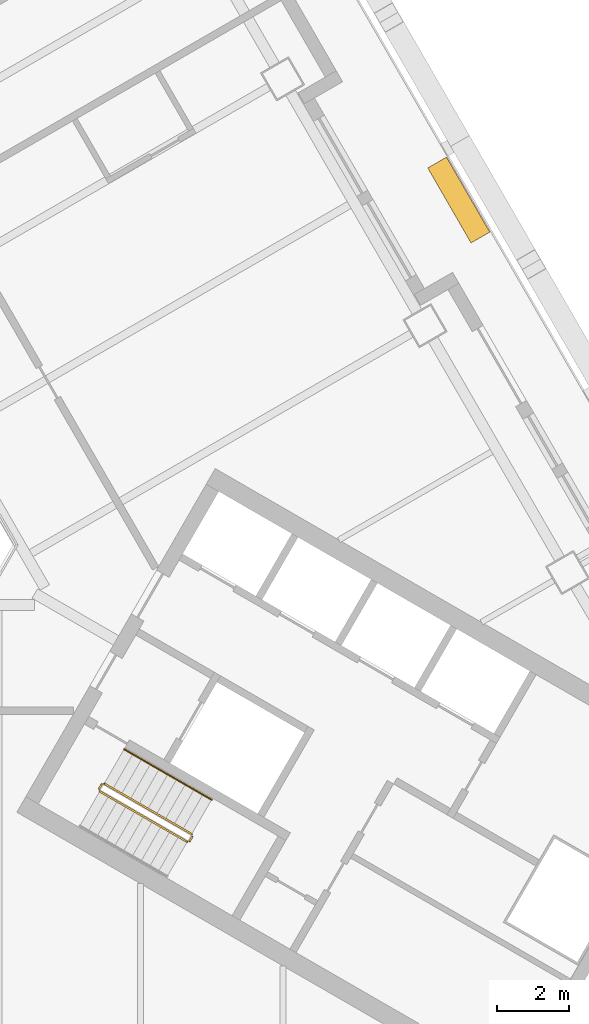
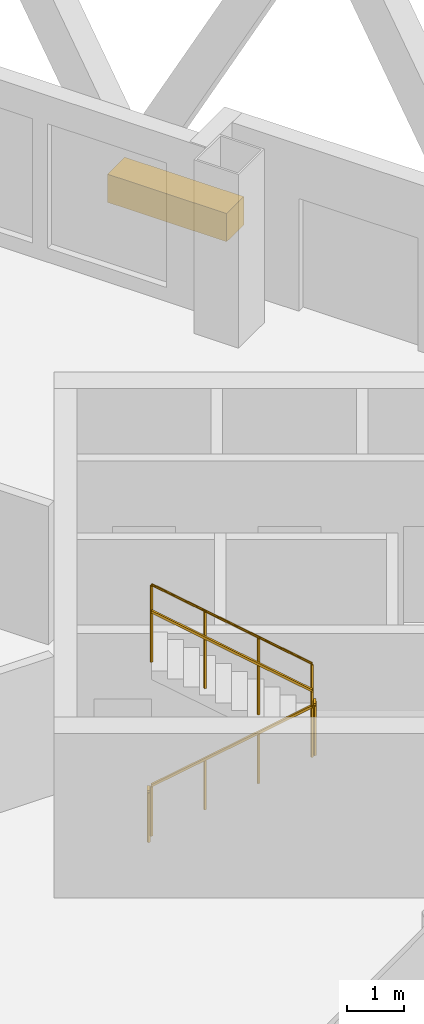
# One storey, part 12 of 14: 5 railings, 1 covering.
"""IFC4 building model written with IfcOpenShell, lengths in metres."""

from ifc_helpers import new_model, si_unit, direction, frame, origin, origin_2d, place, context, subcontext, project, spatial, rectangle, circle, extrude, material, type_object, element, save


model = new_model("IFC4")

# Units and contexts
model_context = context("Model", 3, precision=1e-05, world=origin(), true_north=direction((0.0, 1.0)))
body_context = subcontext(model_context, "Body", "Model", "MODEL_VIEW")
ifc_project = project(units=[si_unit("LENGTHUNIT", "METRE"), si_unit("AREAUNIT", "SQUARE_METRE"), si_unit("VOLUMEUNIT", "CUBIC_METRE"), si_unit("PLANEANGLEUNIT", "RADIAN"), si_unit("MASSUNIT", "GRAM", prefix="KILO")], contexts=[model_context])

# Site, building, storey
site_placement = place(None, origin())
site = spatial("IfcSite", under=ifc_project, at=site_placement, CompositionType="ELEMENT")
building_placement = place(site_placement, origin())
building = spatial("IfcBuilding", under=site, at=building_placement, Name="Apuvela Tower Hotel", CompositionType="ELEMENT")
storey_placement = place(building_placement, frame((0.0, 0.0, 98.300048828125)))
storey = spatial("IfcBuildingStorey", under=building, at=storey_placement, Name="L22", CompositionType="ELEMENT", Elevation=98.300048828125)

# Railings
ifc_material_1 = material(Name="Steel S275 balustrade", Category="steel")
railing_type_1 = type_object("IfcRailingType", Name="COR-GUARD-1100", PredefinedType="GUARDRAIL", material=ifc_material_1)
railing_1_placement = place(storey_placement, frame((10.718994140625, -10.63427734375, 0.168212890625)))
element("IfcRailing", 1, at=railing_1_placement, inside=storey, type_object=railing_type_1, Name="L22 ST3 stair guard 1", PredefinedType="GUARDRAIL", context=body_context, shape_type="SweptSolid", body=[
    extrude(rectangle(XDim=0.048095703125, YDim=0.048095703125, at=origin_2d()), frame((0.0, 0.0, 1.076171875), z_axis=(0.74241905619, -0.428617687091, 0.514879426), x_axis=(0.49998411664, 0.866034573852, 0.0)), (0.0, 0.0, 1.0), 3.26611328125),
    extrude(rectangle(XDim=0.0419921875, YDim=0.0419921875, at=origin_2d()), origin(), (0.0, 0.0, 1.0), 1.052001953125),
    extrude(rectangle(XDim=0.0419921875, YDim=0.0419921875, at=origin_2d()), frame((0.808349609375, -0.466552734375, 0.560546875)), (0.0, 0.0, 1.0), 1.052001953125),
    extrude(rectangle(XDim=0.0419921875, YDim=0.0419921875, at=origin_2d()), frame((1.616455078125, -0.933349609375, 1.12109375)), (0.0, 0.0, 1.0), 1.052001953125),
    extrude(rectangle(XDim=0.0419921875, YDim=0.0419921875, at=origin_2d()), frame((2.4248046875, -1.39990234375, 1.681640625)), (0.0, 0.0, 1.0), 1.052001953125),
])
railing_2_placement = place(storey_placement, frame((13.212158203125, -12.015869140625, 1.849853515625)))
element("IfcRailing", 2, at=railing_2_placement, inside=storey, type_object=railing_type_1, Name="L22 ST3 stair guard 2", PredefinedType="GUARDRAIL", context=body_context, shape_type="SweptSolid", body=[
    extrude(rectangle(XDim=0.048095703125, YDim=0.048095703125, at=origin_2d()), frame((0.0, 0.0, 1.076171875), z_axis=(0.499816412211, 0.866131372301, 0.0), x_axis=(-0.866131372301, 0.499816412211, 0.0)), (0.0, 0.0, 1.0), 0.14990234375),
    extrude(rectangle(XDim=0.0419921875, YDim=0.0419921875, at=origin_2d()), origin(), (0.0, 0.0, 1.0), 1.052001953125),
    extrude(rectangle(XDim=0.0419921875, YDim=0.0419921875, at=origin_2d()), frame((0.074951171875, 0.1298828125, 0.0)), (0.0, 0.0, 1.0), 1.052001953125),
])
railing_3_placement = place(storey_placement, frame((13.268798828125, -11.817626953125, 2.01806640625)))
element("IfcRailing", 3, at=railing_3_placement, inside=storey, type_object=railing_type_1, Name="L22 ST3 stair guard 3", PredefinedType="GUARDRAIL", context=body_context, shape_type="SweptSolid", body=[
    extrude(rectangle(XDim=0.048095703125, YDim=0.048095703125, at=origin_2d()), frame((0.0, 0.0, 1.076171875), z_axis=(-0.742390482028, 0.42860119049, 0.514934356695), x_axis=(-0.49998411664, -0.866034573852, 0.0)), (0.0, 0.0, 1.0), 3.26611328125),
    extrude(rectangle(XDim=0.0419921875, YDim=0.0419921875, at=origin_2d()), origin(), (0.0, 0.0, 1.0), 1.052001953125),
    extrude(rectangle(XDim=0.0419921875, YDim=0.0419921875, at=origin_2d()), frame((-0.808349609375, 0.466552734375, 0.560546875)), (0.0, 0.0, 1.0), 1.052001953125),
    extrude(rectangle(XDim=0.0419921875, YDim=0.0419921875, at=origin_2d()), frame((-1.616455078125, 0.933349609375, 1.121337890625)), (0.0, 0.0, 1.0), 1.052001953125),
    extrude(rectangle(XDim=0.0419921875, YDim=0.0419921875, at=origin_2d()), frame((-2.4248046875, 1.39990234375, 1.681884765625)), (0.0, 0.0, 1.0), 1.052001953125),
])
railing_4_placement = place(storey_placement, frame((10.70068359375, -10.56591796875, 0.0)))
element("IfcRailing", 4, at=railing_4_placement, inside=storey, type_object=railing_type_1, Name="L22 ST3 stair guard 4", PredefinedType="GUARDRAIL", context=body_context, shape_type="SweptSolid", body=[
    extrude(rectangle(XDim=0.048095703125, YDim=0.048095703125, at=origin_2d()), frame((0.0, 0.0, 1.076171875), z_axis=(0.499816412211, 0.866131372301, 0.0), x_axis=(-0.866131372301, 0.499816412211, 0.0)), (0.0, 0.0, 1.0), 0.14990234375),
    extrude(rectangle(XDim=0.0419921875, YDim=0.0419921875, at=origin_2d()), origin(), (0.0, 0.0, 1.0), 1.052001953125),
    extrude(rectangle(XDim=0.0419921875, YDim=0.0419921875, at=origin_2d()), frame((0.074951171875, 0.1298828125, 0.0)), (0.0, 0.0, 1.0), 1.052001953125),
])
ifc_material_2 = material(Name="Stainless steel 316 handrail", Category="steel")
railing_type_2 = type_object("IfcRailingType", Name="COR-HANDRAIL-900", PredefinedType="HANDRAIL", material=ifc_material_2)
railing_5_placement = place(storey_placement, frame((13.81884765625, -10.864990234375, 2.01806640625)))
element("IfcRailing", 5, at=railing_5_placement, inside=storey, type_object=railing_type_2, Name="L22 ST3 stair handrail 2", PredefinedType="HANDRAIL", context=body_context, shape_type="SweptSolid", body=[
    extrude(circle(Radius=0.02392578125, at=origin_2d()), frame((0.0, 0.0, 0.8759765625), z_axis=(-0.742390482028, 0.42860119049, 0.514934356695), x_axis=(-0.49998411664, -0.866034573852, 0.0)), (0.0, 0.0, 1.0), 3.26611328125),
    extrude(rectangle(XDim=0.0419921875, YDim=0.0419921875, at=origin_2d()), origin(), (0.0, 0.0, 1.0), 0.851806640625),
    extrude(rectangle(XDim=0.0419921875, YDim=0.0419921875, at=origin_2d()), frame((-0.808349609375, 0.466552734375, 0.560546875)), (0.0, 0.0, 1.0), 0.851806640625),
    extrude(rectangle(XDim=0.0419921875, YDim=0.0419921875, at=origin_2d()), frame((-1.616455078125, 0.933349609375, 1.121337890625)), (0.0, 0.0, 1.0), 0.851806640625),
    extrude(rectangle(XDim=0.0419921875, YDim=0.0419921875, at=origin_2d()), frame((-2.4248046875, 1.39990234375, 1.681884765625)), (0.0, 0.0, 1.0), 0.851806640625),
])

# Covering
ifc_material_3 = material(Name="Planting substrate and soil, planted")
covering_type = type_object("IfcCoveringType", Name="ENV-PLANTER-2400x600", PredefinedType="USERDEFINED", material=ifc_material_3)
covering_placement = place(storey_placement, frame((20.6708984375, 5.756591796875, 0.0), z_axis=(0.0, 0.0, 1.0), x_axis=(-0.5, 0.866025403784, 0.0)))
element("IfcCovering", 6, at=covering_placement, inside=storey, type_object=covering_type, Name="Planter NE3", ObjectType="PLANTER", PredefinedType="USERDEFINED", context=body_context, shape_type="SweptSolid", body=[
    extrude(rectangle(XDim=2.39990234375, YDim=0.60009765625, at=origin_2d()), origin(), (0.0, 0.0, 1.0), 0.60009765625),
])

save(model, "model.ifc")
